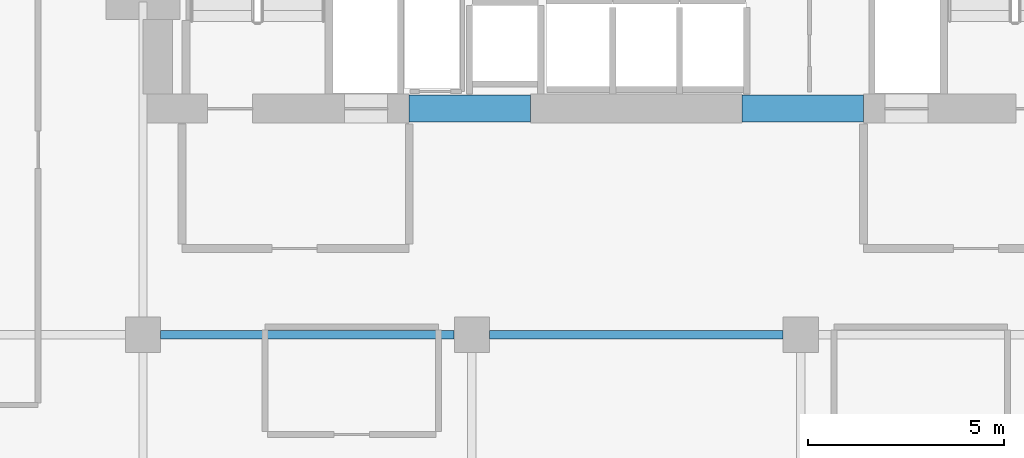
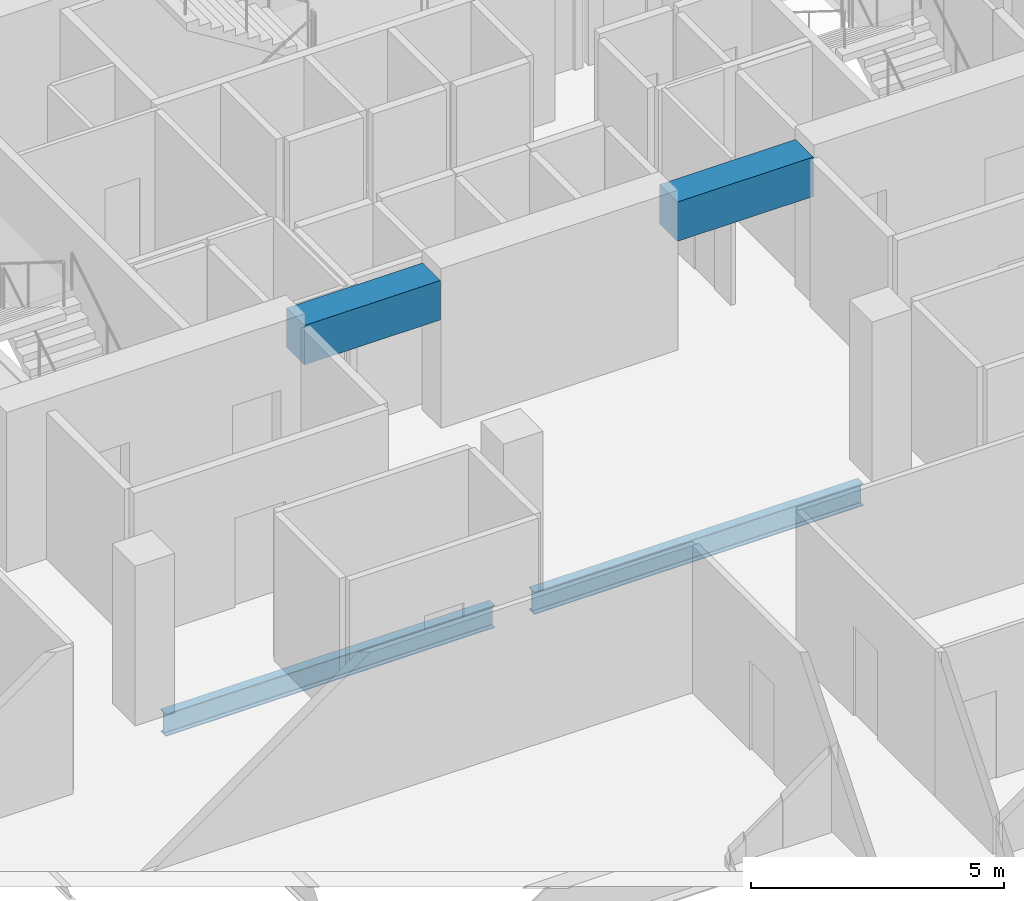
# One storey, part 21 of 32: 4 beams.
"""IFC4 building model written with IfcOpenShell, lengths in metres."""

from ifc_helpers import new_model, si_unit, direction, frame, origin, origin_2d, place, context, subcontext, project, spatial, rectangle, i_section, extrude, material, material_profile, profile_set, type_object, element, save


model = new_model("IFC4")

# Units and contexts
model_context = context("Model", 3, precision=1e-05, world=origin(), true_north=direction((0.0, 1.0)))
body_context = subcontext(model_context, "Body", "Model", "MODEL_VIEW")
ifc_project = project(units=[si_unit("LENGTHUNIT", "METRE"), si_unit("AREAUNIT", "SQUARE_METRE"), si_unit("VOLUMEUNIT", "CUBIC_METRE"), si_unit("PLANEANGLEUNIT", "RADIAN"), si_unit("MASSUNIT", "GRAM", prefix="KILO")], contexts=[model_context])

# Site, building, storey
site_placement = place(None, origin())
site = spatial("IfcSite", under=ifc_project, at=site_placement, CompositionType="ELEMENT")
building_placement = place(site_placement, origin())
building = spatial("IfcBuilding", under=site, at=building_placement, Name="Maruvema Waterfront Hotel and Observation Tower", CompositionType="ELEMENT")
storey_placement = place(building_placement, frame((0.0, 0.0, 223.64990234375)))
storey = spatial("IfcBuildingStorey", under=building, at=storey_placement, Name="L55", CompositionType="ELEMENT", Elevation=223.64990234375)

# Beams
ifc_material_1 = material(Name="Concrete C60/75", Category="concrete")
ifc_material_profile_1 = material_profile(ifc_material_1, rectangle(XDim=0.699951171875, YDim=0.949951171875, at=origin_2d()), Name="CB700x950")
ifc_profile_set_1 = profile_set([ifc_material_profile_1], Name="Concrete C60/75")
beam_type_1 = type_object("IfcBeamType", Name="Core Coupling Lintel Beam CB700x950", PredefinedType="LINTEL", material=ifc_profile_set_1)
for number, where, z_axis, x_axis, name in (
    (1, (32.0, 41.77490234375, 3.0751953125), (1.0, 0.0, 0.0), (0.0, 1.0, 0.0), "L55 Core Coupling Lintel Beam West"),
    (2, (40.5, 41.77490234375, 3.0751953125), (1.0, 0.0, 0.0), (0.0, 1.0, 0.0), "L55 Core Coupling Lintel Beam East"),
):
    element("IfcBeam", number, at=place(storey_placement, frame(where, z_axis=z_axis, x_axis=x_axis)), inside=storey, type_object=beam_type_1, Name=name, PredefinedType="LINTEL", context=body_context, shape_type="SweptSolid", body=[
        extrude(rectangle(XDim=0.699951171875, YDim=0.949951171875, at=origin_2d()), origin(), (0.0, 0.0, 1.0), 3.10009765625),
    ])
ifc_material_2 = material(Name="Steel ASTM A572 Grade 50", Category="steel")
ifc_material_profile_2 = material_profile(ifc_material_2, i_section(OverallWidth=0.2109375, OverallDepth=0.5390625, WebThickness=0.01171875, FlangeThickness=0.018798828125, FilletRadius=0.014892578125, at=origin_2d()), Name="W530x109.0")
ifc_profile_set_2 = profile_set([ifc_material_profile_2], Name="Steel ASTM A572 Grade 50")
beam_type_2 = type_object("IfcBeamType", Name="Primary Floor Girder W530x109.0", PredefinedType="BEAM", material=ifc_profile_set_2)
for number, where, z_axis, x_axis, name in (
    (3, (25.64990234375, 36.0, -0.509521484375), (1.0, 0.0, 0.0), (0.0, 1.0, 0.0), "L55 Floor Girder EW-25"),
    (4, (34.050048828125, 36.0, -0.509521484375), (1.0, 0.0, 0.0), (0.0, 1.0, 0.0), "L55 Floor Girder EW-26"),
):
    element("IfcBeam", number, at=place(storey_placement, frame(where, z_axis=z_axis, x_axis=x_axis)), inside=storey, type_object=beam_type_2, Name=name, PredefinedType="BEAM", context=body_context, shape_type="SweptSolid", body=[
        extrude(i_section(OverallWidth=0.2109375, OverallDepth=0.5390625, WebThickness=0.01171875, FlangeThickness=0.018798828125, FilletRadius=0.014892578125, at=origin_2d()), origin(), (0.0, 0.0, 1.0), 7.5),
    ])

save(model, "model.ifc")
